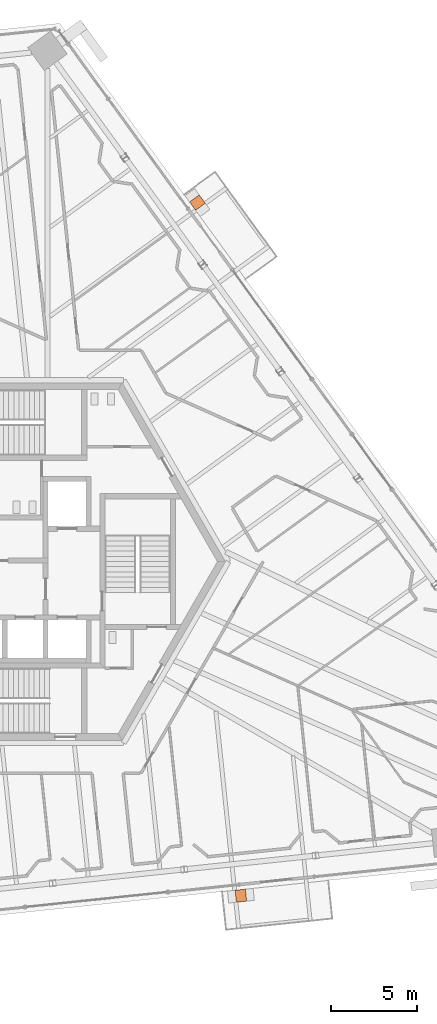
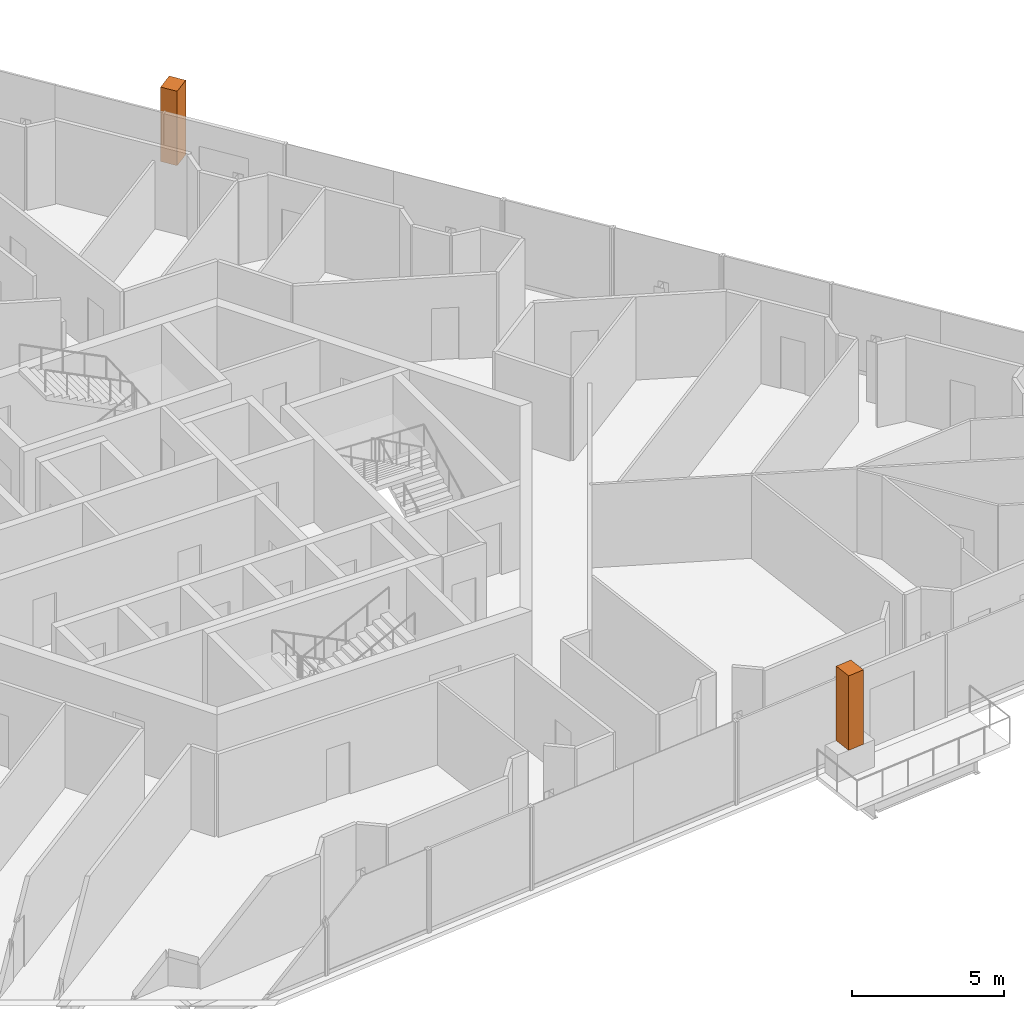
# One storey, part 26 of 26: 2 geographic elements.
"""IFC4 building model written with IfcOpenShell, lengths in metres."""

from ifc_helpers import new_model, si_unit, direction, frame, origin, origin_2d, place, context, subcontext, project, spatial, rectangle, extrude, source, transform, mapped, material, type_object, element, save


model = new_model("IFC4")

# Units and contexts
model_context = context("Model", 3, precision=1e-05, world=origin(), true_north=direction((0.0, 1.0)))
body_context = subcontext(model_context, "Body", "Model", "MODEL_VIEW")
ifc_project = project(units=[si_unit("LENGTHUNIT", "METRE"), si_unit("AREAUNIT", "SQUARE_METRE"), si_unit("VOLUMEUNIT", "CUBIC_METRE"), si_unit("PLANEANGLEUNIT", "RADIAN"), si_unit("MASSUNIT", "GRAM", prefix="KILO")], contexts=[model_context])

# Site, building, storey
site_placement = place(None, origin())
site = spatial("IfcSite", under=ifc_project, at=site_placement, CompositionType="ELEMENT")
building_placement = place(site_placement, origin())
building = spatial("IfcBuilding", under=site, at=building_placement, Name="Triune Harvest Tower", CompositionType="ELEMENT")
storey_placement = place(building_placement, frame((0.0, 0.0, 252.10009765625)))
storey = spatial("IfcBuildingStorey", under=building, at=storey_placement, Name="L66", CompositionType="ELEMENT", Elevation=252.10009765625)

# Geographic elements
ifc_material = material(Name="TREE-1 tree")
geographic_element_type = type_object("IfcGeographicElementType", Name="TREE-1 tree", PredefinedType="USERDEFINED", material=ifc_material)
shared_shape = source(origin(), body_context, "Body", "SweptSolid", [
    extrude(rectangle(XDim=0.60009765625, YDim=0.699951171875, at=origin_2d()), origin(), (0.0, 0.0, 1.0), 3.0),
])
for number, where, z_axis, x_axis, name in (
    (1, (10.37109375, 20.86328125, 1.099853515625), (0.0, 0.0, 1.0), (-0.587785672066, 0.809016689391, 0.0), "Tree B6-F1 L66.8b"),
    (2, (12.89892578125, -19.41162109375, 1.099853515625), (0.0, 0.0, 1.0), (0.994521747579, 0.104529869379, 0.0), "Tree B6-F5 L66.9a"),
):
    element("IfcGeographicElement", number, at=place(storey_placement, frame(where, z_axis=z_axis, x_axis=x_axis)), inside=storey, type_object=geographic_element_type, Name=name, ObjectType="TREE", PredefinedType="USERDEFINED", context=body_context, shape_type="MappedRepresentation", body=[
        mapped(shared_shape, transform((0.0, 0.0, 0.0), scale=1.0)),
    ])

save(model, "model.ifc")
